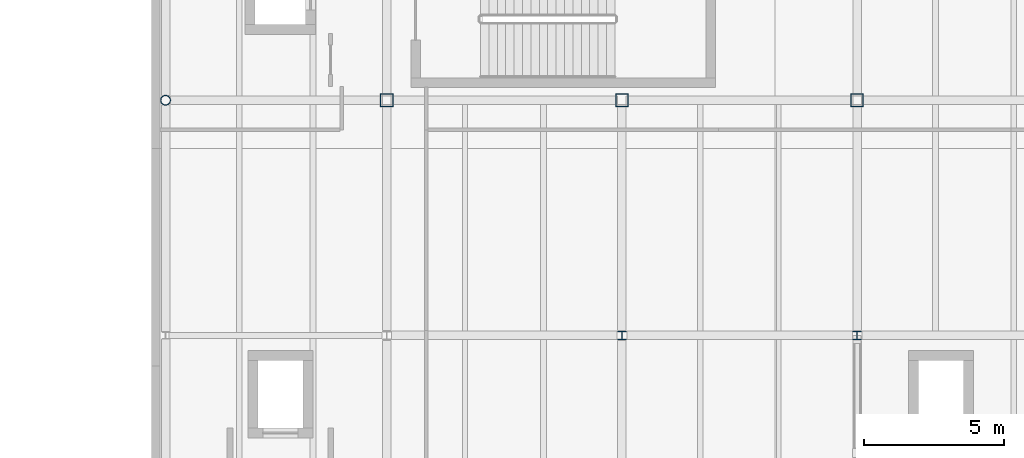
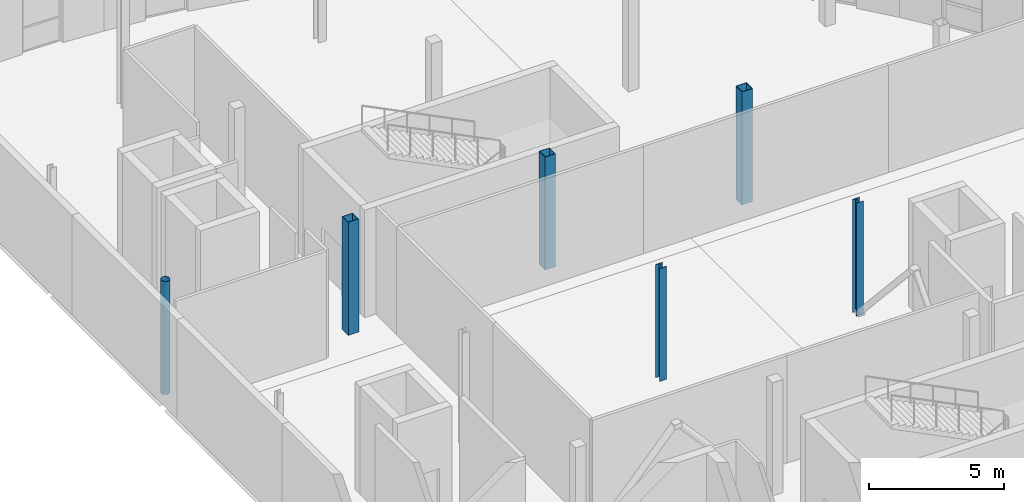
# One storey, part 7 of 57: 6 columns.
"""IFC4 building model written with IfcOpenShell, lengths in metres."""

from ifc_helpers import new_model, si_unit, direction, frame, origin, origin_2d, place, context, subcontext, project, spatial, hollow_rectangle, hollow_circle, i_section, extrude, material, material_profile, profile_set, type_object, element, save


model = new_model("IFC4")

# Units and contexts
model_context = context("Model", 3, precision=1e-05, world=origin(), true_north=direction((0.0, 1.0)))
body_context = subcontext(model_context, "Body", "Model", "MODEL_VIEW")
ifc_project = project(units=[si_unit("LENGTHUNIT", "METRE"), si_unit("AREAUNIT", "SQUARE_METRE"), si_unit("VOLUMEUNIT", "CUBIC_METRE"), si_unit("PLANEANGLEUNIT", "RADIAN"), si_unit("MASSUNIT", "GRAM", prefix="KILO"), si_unit("THERMODYNAMICTEMPERATUREUNIT", "KELVIN")], contexts=[model_context])

# Site, building, storey
site_placement = place(None, origin())
site = spatial("IfcSite", under=ifc_project, at=site_placement, CompositionType="ELEMENT")
building_placement = place(site_placement, origin())
building = spatial("IfcBuilding", under=site, at=building_placement, Name="Lustrewick Department Store", CompositionType="ELEMENT")
storey_placement = place(building_placement, frame((0.0, 0.0, 26.699951171875)))
storey = spatial("IfcBuildingStorey", under=building, at=storey_placement, Name="L06", CompositionType="ELEMENT", Elevation=26.699951171875)

# Columns
ifc_material = material(Name="Structural steel Q355B", Category="steel")
ifc_material_profile_1 = material_profile(ifc_material, hollow_rectangle(XDim=0.449951171875, YDim=0.449951171875, WallThickness=0.01806640625, at=origin_2d()), Name="BOX 450x450x18")
ifc_profile_set_1 = profile_set([ifc_material_profile_1], Name="Structural steel Q355B")
column_type_1 = type_object("IfcColumnType", Name="C07", PredefinedType="COLUMN", material=ifc_profile_set_1)
for number, where, z_axis, x_axis, name in (
    (1, (117.60009765625, 75.60009765625, 0.0), (0.0, 0.0, 1.0), (1.0, 0.0, 0.0), "L06 V4 Column C07"),
    (2, (126.0, 75.60009765625, 0.0), (0.0, 0.0, 1.0), (1.0, 0.0, 0.0), "L06 V4 Column C07"),
    (3, (134.39990234375, 75.60009765625, 0.0), (0.0, 0.0, 1.0), (1.0, 0.0, 0.0), "L06 V4 Column C07"),
):
    element("IfcColumn", number, at=place(storey_placement, frame(where, z_axis=z_axis, x_axis=x_axis)), inside=storey, type_object=column_type_1, Name=name, PredefinedType="COLUMN", context=body_context, shape_type="SweptSolid", body=[
        extrude(hollow_rectangle(XDim=0.449951171875, YDim=0.449951171875, WallThickness=0.01806640625, at=origin_2d()), origin(), (0.0, 0.0, 1.0), 5.10009765625),
    ])
ifc_material_profile_2 = material_profile(ifc_material, i_section(OverallWidth=0.300048828125, OverallDepth=0.300048828125, WebThickness=0.010009765625, FlangeThickness=0.014892578125, FilletRadius=0.01806640625, at=origin_2d()), Name="HW 300x300x10x15")
ifc_profile_set_2 = profile_set([ifc_material_profile_2], Name="Structural steel Q355B")
column_type_2 = type_object("IfcColumnType", Name="C15", PredefinedType="COLUMN", material=ifc_profile_set_2)
for number, where, z_axis, x_axis, name in (
    (4, (126.0, 67.199951171875, 0.0), (0.0, 0.0, 1.0), (1.0, 0.0, 0.0), "L06 V4 Column C15"),
    (5, (134.39990234375, 67.199951171875, 0.0), (0.0, 0.0, 1.0), (1.0, 0.0, 0.0), "L06 V4 Column C15"),
):
    element("IfcColumn", number, at=place(storey_placement, frame(where, z_axis=z_axis, x_axis=x_axis)), inside=storey, type_object=column_type_2, Name=name, PredefinedType="COLUMN", context=body_context, shape_type="SweptSolid", body=[
        extrude(i_section(OverallWidth=0.300048828125, OverallDepth=0.300048828125, WebThickness=0.010009765625, FlangeThickness=0.014892578125, FilletRadius=0.01806640625, at=origin_2d()), origin(), (0.0, 0.0, 1.0), 5.10009765625),
    ])
ifc_material_profile_3 = material_profile(ifc_material, hollow_circle(Radius=0.177978515625, WallThickness=0.013916015625, at=origin_2d()), Name="CHS 356x14")
ifc_profile_set_3 = profile_set([ifc_material_profile_3], Name="Structural steel Q355B")
column_type_3 = type_object("IfcColumnType", Name="CE05", PredefinedType="COLUMN", material=ifc_profile_set_3)
column_placement = place(storey_placement, frame((109.699951171875, 75.60009765625, 0.0), z_axis=(0.0, 0.0, 1.0), x_axis=(1.0, 0.0, 0.0)))
element("IfcColumn", 6, at=column_placement, inside=storey, type_object=column_type_3, Name="L06 V4 Column CE05", PredefinedType="COLUMN", context=body_context, shape_type="SweptSolid", body=[
    extrude(hollow_circle(Radius=0.177978515625, WallThickness=0.013916015625, at=origin_2d()), origin(), (0.0, 0.0, 1.0), 5.10009765625),
])

save(model, "model.ifc")
